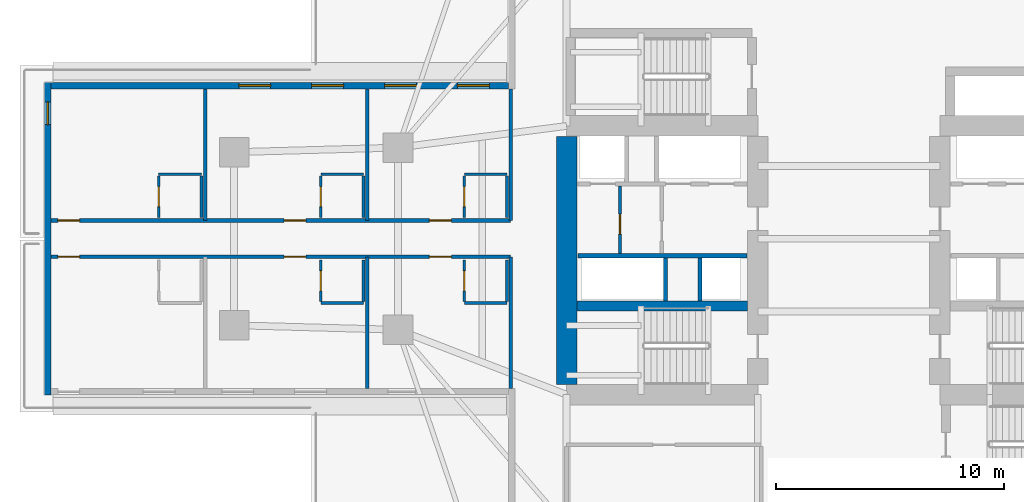
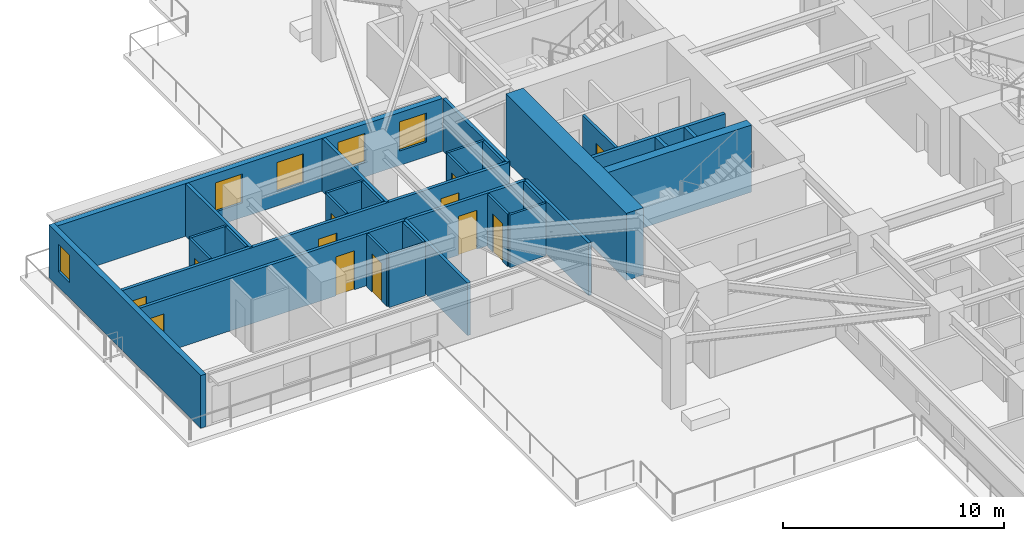
# One storey, part 5 of 15: 30 walls, 12 doors, 5 windows, 17 openings.
"""IFC4 building model written with IfcOpenShell, lengths in metres."""

from ifc_helpers import new_model, si_unit, direction, frame, frame_2d, origin, place, context, subcontext, project, spatial, rectangle, extrude, material, layer, layer_set, type_object, element, fill, save


model = new_model("IFC4")

# Units and contexts
model_context = context("Model", 3, precision=1e-05, world=origin(), true_north=direction((0.0, 1.0)))
body_context = subcontext(model_context, "Body", "Model", "MODEL_VIEW")
ifc_project = project(units=[si_unit("LENGTHUNIT", "METRE"), si_unit("AREAUNIT", "SQUARE_METRE"), si_unit("VOLUMEUNIT", "CUBIC_METRE"), si_unit("PLANEANGLEUNIT", "RADIAN"), si_unit("MASSUNIT", "GRAM", prefix="KILO")], contexts=[model_context])

# Site, building, storey
site_placement = place(None, origin())
site = spatial("IfcSite", under=ifc_project, at=site_placement, CompositionType="ELEMENT")
building_placement = place(site_placement, origin())
building = spatial("IfcBuilding", under=site, at=building_placement, Name="Qingluan Cross Belvedere", CompositionType="ELEMENT")
storey_placement = place(building_placement, frame((0.0, 0.0, 23.699951171875)))
storey = spatial("IfcBuildingStorey", under=building, at=storey_placement, Name="L06", CompositionType="ELEMENT", Elevation=23.699951171875)

# Walls
ifc_material_1 = material(Name="Concrete C50", Category="concrete")
ifc_layer_1 = layer(ifc_material_1, 0.449951171875, Name="CoreShearWall_450")
ifc_layer_set_1 = layer_set([ifc_layer_1], Name="Concrete C50")
wall_type_1 = type_object("IfcWallType", Name="CoreShearWall_450", PredefinedType="SHEAR", material=ifc_layer_set_1)
wall_1_placement = place(storey_placement, frame((-11.945068359375, -2.9599609375, 0.0), z_axis=(0.0, 0.0, 1.0), x_axis=(1.0, 0.0, 0.0)))
element("IfcWall", 1, at=wall_1_placement, inside=storey, type_object=wall_type_1, Name="Split core W shear wall L06-M", PredefinedType="SHEAR", context=body_context, shape_type="SweptSolid", body=[
    extrude(rectangle(XDim=7.489990234375, YDim=0.449951171875, at=frame_2d((3.7451171875, 0.0))), origin(), (0.0, 0.0, 1.0), 3.699951171875),
])
ifc_material_2 = material(Name="Concrete C70", Category="concrete")
ifc_layer_2 = layer(ifc_material_2, 0.89990234375, Name="CoreShearWall_900")
ifc_layer_set_2 = layer_set([ifc_layer_2], Name="Concrete C70")
wall_type_2 = type_object("IfcWallType", Name="CoreShearWall_900", PredefinedType="SHEAR", material=ifc_layer_set_2)
wall_2_placement = place(storey_placement, frame((-12.39990234375, -6.39501953125, 0.0), z_axis=(0.0, 0.0, 1.0), x_axis=(0.0, 1.0, 0.0)))
element("IfcWall", 2, at=wall_2_placement, inside=storey, type_object=wall_type_2, Name="Split core W shear wall L06-W", PredefinedType="SHEAR", context=body_context, shape_type="SweptSolid", body=[
    extrude(rectangle(XDim=10.89013671875, YDim=0.89990234375, at=frame_2d((5.445068359375, 0.0))), origin(), (0.0, 0.0, 1.0), 3.699951171875),
])

# Wall, opening, door
ifc_material_3 = material(Name="Gypsum plasterboard on steel stud acoustic partition", Category="steel")
ifc_layer_3 = layer(ifc_material_3, 0.159912109375, Name="CorridorPartition_160")
ifc_layer_set_3 = layer_set([ifc_layer_3], Name="Gypsum plasterboard on steel stud acoustic partition")
wall_type_3 = type_object("IfcWallType", Name="CorridorPartition_160", PredefinedType="PARTITIONING", material=ifc_layer_set_3)
wall_3_placement = place(storey_placement, frame((-10.050048828125, -0.652099609375, 0.0), z_axis=(0.0, 0.0, 1.0), x_axis=(0.0, 1.0, 0.0)))
wall_3 = element("IfcWall", 3, at=wall_3_placement, inside=storey, type_object=wall_type_3, Name="Partition L06:wv", PredefinedType="PARTITIONING", context=body_context, shape_type="SweptSolid", body=[
    extrude(rectangle(XDim=2.962158203125, YDim=0.139892578125, at=frame_2d((1.48095703125, 0.0))), origin(), (0.0, 0.0, 1.0), 2.900146484375),
])
opening_1_placement = place(wall_3_placement, frame((0.85009765625, 0.0, 0.0)))
opening_1 = element("IfcOpeningElement", 4, at=opening_1_placement, cuts=wall_3, Name="Opening FD-B10", PredefinedType="OPENING", context=body_context, shape_type="SweptSolid", body=[
    extrude(rectangle(XDim=0.8798828125, YDim=2.10009765625, at=frame_2d((0.43994140625, 1.050048828125))), frame((0.0, 0.079833984375, 0.0), z_axis=(0.0, -1.0, 0.0), x_axis=(1.0, 0.0, 0.0)), (0.0, 0.0, 1.0), 0.159912109375),
])
ifc_material_4 = material(Name="Steel Class B service fire door", Category="steel")
door_type_1 = type_object("IfcDoorType", Name="RiserServiceFireDoor_FDB", OperationType="NOTDEFINED", PredefinedType="DOOR", material=ifc_material_4)
door_1_placement = place(opening_1_placement, origin())
door_1 = element("IfcDoor", 5, at=door_1_placement, inside=storey, type_object=door_type_1, Name="Service closet inner door L06", OperationType="SINGLE_SWING_RIGHT", OverallHeight=2.10009765625, OverallWidth=0.8798828125, PredefinedType="DOOR", context=body_context, shape_type="SweptSolid", body=[
    extrude(rectangle(XDim=0.8798828125, YDim=2.10009765625, at=frame_2d((0.43994140625, 1.050048828125))), frame((0.0, 0.02490234375, 0.0), z_axis=(0.0, -1.0, 0.0), x_axis=(1.0, 0.0, 0.0)), (0.0, 0.0, 1.0), 0.050048828125),
])
fill(opening_1, door_1)

# Wall, openings, doors
wall_4_placement = place(storey_placement, frame((-14.85009765625, 0.800048828125, 0.0), z_axis=(0.0, 0.0, 1.0), x_axis=(-1.0, 0.0, 0.0)))
wall_4 = element("IfcWall", 6, at=wall_4_placement, inside=storey, type_object=wall_type_3, Name="Partition L06:W:c0", PredefinedType="PARTITIONING", context=body_context, shape_type="SweptSolid", body=[
    extrude(rectangle(XDim=20.181884765625, YDim=0.159912109375, at=frame_2d((10.0908203125, 0.0))), origin(), (0.0, 0.0, 1.0), 2.900146484375),
])
opening_2_placement = place(wall_4_placement, frame((2.610107421875, 0.0, 0.0)))
opening_2 = element("IfcOpeningElement", 7, at=opening_2_placement, cuts=wall_4, Name="Opening GD-10", PredefinedType="OPENING", context=body_context, shape_type="SweptSolid", body=[
    extrude(rectangle(XDim=0.9599609375, YDim=2.14990234375, at=frame_2d((0.47998046875, 1.074951171875))), frame((0.0, 0.08984375, 0.0), z_axis=(0.0, -1.0, 0.0), x_axis=(1.0, 0.0, 0.0)), (0.0, 0.0, 1.0), 0.179931640625),
])
opening_3_placement = place(wall_4_placement, frame((8.993896484375, 0.0, 0.0)))
opening_3 = element("IfcOpeningElement", 8, at=opening_3_placement, cuts=wall_4, Name="Opening GD-10", PredefinedType="OPENING", context=body_context, shape_type="SweptSolid", body=[
    extrude(rectangle(XDim=0.9599609375, YDim=2.14990234375, at=frame_2d((0.47998046875, 1.074951171875))), frame((0.0, 0.08984375, 0.0), z_axis=(0.0, -1.0, 0.0), x_axis=(1.0, 0.0, 0.0)), (0.0, 0.0, 1.0), 0.179931640625),
])
opening_4_placement = place(wall_4_placement, frame((18.929931640625, 0.0, 0.0)))
opening_4 = element("IfcOpeningElement", 9, at=opening_4_placement, cuts=wall_4, Name="Opening GD-10", PredefinedType="OPENING", context=body_context, shape_type="SweptSolid", body=[
    extrude(rectangle(XDim=0.9599609375, YDim=2.14990234375, at=frame_2d((0.47998046875, 1.074951171875))), frame((0.0, 0.08984375, 0.0), z_axis=(0.0, -1.0, 0.0), x_axis=(1.0, 0.0, 0.0)), (0.0, 0.0, 1.0), 0.179931640625),
])
ifc_material_5 = material(Name="Timber oak fire-rated acoustic guestroom door", Category="wood")
door_type_2 = type_object("IfcDoorType", Name="GuestEntryDoor_FD60", OperationType="NOTDEFINED", PredefinedType="DOOR", material=ifc_material_5)
door_2_placement = place(opening_2_placement, origin())
door_2 = element("IfcDoor", 10, at=door_2_placement, inside=storey, type_object=door_type_2, Name="Guest entry fire door 0607", OperationType="SINGLE_SWING_LEFT", OverallHeight=2.14990234375, OverallWidth=0.9599609375, PredefinedType="DOOR", context=body_context, shape_type="SweptSolid", body=[
    extrude(rectangle(XDim=0.9599609375, YDim=2.14990234375, at=frame_2d((0.47998046875, 1.074951171875))), frame((0.0, 0.02490234375, 0.0), z_axis=(0.0, -1.0, 0.0), x_axis=(1.0, 0.0, 0.0)), (0.0, 0.0, 1.0), 0.050048828125),
])
fill(opening_2, door_2)
door_3_placement = place(opening_3_placement, origin())
door_3 = element("IfcDoor", 11, at=door_3_placement, inside=storey, type_object=door_type_2, Name="Guest entry fire door 0608", OperationType="SINGLE_SWING_LEFT", OverallHeight=2.14990234375, OverallWidth=0.9599609375, PredefinedType="DOOR", context=body_context, shape_type="SweptSolid", body=[
    extrude(rectangle(XDim=0.9599609375, YDim=2.14990234375, at=frame_2d((0.47998046875, 1.074951171875))), frame((0.0, 0.02490234375, 0.0), z_axis=(0.0, -1.0, 0.0), x_axis=(1.0, 0.0, 0.0)), (0.0, 0.0, 1.0), 0.050048828125),
])
fill(opening_3, door_3)
door_4_placement = place(opening_4_placement, origin())
door_4 = element("IfcDoor", 12, at=door_4_placement, inside=storey, type_object=door_type_2, Name="Guest entry fire door 0609", OperationType="SINGLE_SWING_LEFT", OverallHeight=2.14990234375, OverallWidth=0.9599609375, PredefinedType="DOOR", context=body_context, shape_type="SweptSolid", body=[
    extrude(rectangle(XDim=0.9599609375, YDim=2.14990234375, at=frame_2d((0.47998046875, 1.074951171875))), frame((0.0, 0.02490234375, 0.0), z_axis=(0.0, -1.0, 0.0), x_axis=(1.0, 0.0, 0.0)), (0.0, 0.0, 1.0), 0.050048828125),
])
fill(opening_4, door_4)

# Walls
for number, where, z_axis, x_axis, name in (
    (13, (-14.85009765625, 0.800048828125, 0.0), (0.0, 0.0, 1.0), (0.0, 1.0, 0.0), "Partition L06:W:s0"),
    (14, (-21.152099609375, 0.800048828125, 0.0), (0.0, 0.0, 1.0), (0.0, 1.0, 0.0), "Partition L06:W:d0_0"),
    (15, (-28.26806640625, 0.800048828125, 0.0), (0.0, 0.0, 1.0), (0.0, 1.0, 0.0), "Partition L06:W:d0_1"),
):
    element("IfcWall", number, at=place(storey_placement, frame(where, z_axis=z_axis, x_axis=x_axis)), inside=storey, type_object=wall_type_3, Name=name, PredefinedType="PARTITIONING", context=body_context, shape_type="SweptSolid", body=[
        extrude(rectangle(XDim=5.77197265625, YDim=0.159912109375, at=frame_2d((2.885986328125, 0.0))), origin(), (0.0, 0.0, 1.0), 2.900146484375),
    ])

# Wall, openings, doors
wall_5_placement = place(storey_placement, frame((-14.85009765625, -0.800048828125, 0.0), z_axis=(0.0, 0.0, 1.0), x_axis=(-1.0, 0.0, 0.0)))
wall_5 = element("IfcWall", 16, at=wall_5_placement, inside=storey, type_object=wall_type_3, Name="Partition L06:W:c1", PredefinedType="PARTITIONING", context=body_context, shape_type="SweptSolid", body=[
    extrude(rectangle(XDim=20.181884765625, YDim=0.159912109375, at=frame_2d((10.0908203125, 0.0))), origin(), (0.0, 0.0, 1.0), 2.900146484375),
])
opening_5_placement = place(wall_5_placement, frame((2.610107421875, 0.0, 0.0)))
opening_5 = element("IfcOpeningElement", 17, at=opening_5_placement, cuts=wall_5, Name="Opening GD-10", PredefinedType="OPENING", context=body_context, shape_type="SweptSolid", body=[
    extrude(rectangle(XDim=0.9599609375, YDim=2.14990234375, at=frame_2d((0.47998046875, 1.074951171875))), frame((0.0, 0.08984375, 0.0), z_axis=(0.0, -1.0, 0.0), x_axis=(1.0, 0.0, 0.0)), (0.0, 0.0, 1.0), 0.179931640625),
])
opening_6_placement = place(wall_5_placement, frame((8.993896484375, 0.0, 0.0)))
opening_6 = element("IfcOpeningElement", 18, at=opening_6_placement, cuts=wall_5, Name="Opening GD-10", PredefinedType="OPENING", context=body_context, shape_type="SweptSolid", body=[
    extrude(rectangle(XDim=0.9599609375, YDim=2.14990234375, at=frame_2d((0.47998046875, 1.074951171875))), frame((0.0, 0.08984375, 0.0), z_axis=(0.0, -1.0, 0.0), x_axis=(1.0, 0.0, 0.0)), (0.0, 0.0, 1.0), 0.179931640625),
])
opening_7_placement = place(wall_5_placement, frame((18.929931640625, 0.0, 0.0)))
opening_7 = element("IfcOpeningElement", 19, at=opening_7_placement, cuts=wall_5, Name="Opening GD-10", PredefinedType="OPENING", context=body_context, shape_type="SweptSolid", body=[
    extrude(rectangle(XDim=0.9599609375, YDim=2.14990234375, at=frame_2d((0.47998046875, 1.074951171875))), frame((0.0, 0.08984375, 0.0), z_axis=(0.0, -1.0, 0.0), x_axis=(1.0, 0.0, 0.0)), (0.0, 0.0, 1.0), 0.179931640625),
])
door_5_placement = place(opening_5_placement, origin())
door_5 = element("IfcDoor", 20, at=door_5_placement, inside=storey, type_object=door_type_2, Name="Guest entry fire door 0610", OperationType="SINGLE_SWING_LEFT", OverallHeight=2.14990234375, OverallWidth=0.9599609375, PredefinedType="DOOR", context=body_context, shape_type="SweptSolid", body=[
    extrude(rectangle(XDim=0.9599609375, YDim=2.14990234375, at=frame_2d((0.47998046875, 1.074951171875))), frame((0.0, 0.02490234375, 0.0), z_axis=(0.0, -1.0, 0.0), x_axis=(1.0, 0.0, 0.0)), (0.0, 0.0, 1.0), 0.050048828125),
])
fill(opening_5, door_5)
door_6_placement = place(opening_6_placement, origin())
door_6 = element("IfcDoor", 21, at=door_6_placement, inside=storey, type_object=door_type_2, Name="Guest entry fire door 0611", OperationType="SINGLE_SWING_LEFT", OverallHeight=2.14990234375, OverallWidth=0.9599609375, PredefinedType="DOOR", context=body_context, shape_type="SweptSolid", body=[
    extrude(rectangle(XDim=0.9599609375, YDim=2.14990234375, at=frame_2d((0.47998046875, 1.074951171875))), frame((0.0, 0.02490234375, 0.0), z_axis=(0.0, -1.0, 0.0), x_axis=(1.0, 0.0, 0.0)), (0.0, 0.0, 1.0), 0.050048828125),
])
fill(opening_6, door_6)
door_7_placement = place(opening_7_placement, origin())
door_7 = element("IfcDoor", 22, at=door_7_placement, inside=storey, type_object=door_type_2, Name="Guest entry fire door 0612", OperationType="SINGLE_SWING_LEFT", OverallHeight=2.14990234375, OverallWidth=0.9599609375, PredefinedType="DOOR", context=body_context, shape_type="SweptSolid", body=[
    extrude(rectangle(XDim=0.9599609375, YDim=2.14990234375, at=frame_2d((0.47998046875, 1.074951171875))), frame((0.0, 0.02490234375, 0.0), z_axis=(0.0, -1.0, 0.0), x_axis=(1.0, 0.0, 0.0)), (0.0, 0.0, 1.0), 0.050048828125),
])
fill(opening_7, door_7)

# Walls
for number, where, z_axis, x_axis, name in (
    (23, (-14.85009765625, -0.800048828125, 0.0), (0.0, 0.0, 1.0), (0.0, -1.0, 0.0), "Partition L06:W:s1"),
    (24, (-21.152099609375, -0.800048828125, 0.0), (0.0, 0.0, 1.0), (0.0, -1.0, 0.0), "Partition L06:W:d1_0"),
):
    element("IfcWall", number, at=place(storey_placement, frame(where, z_axis=z_axis, x_axis=x_axis)), inside=storey, type_object=wall_type_3, Name=name, PredefinedType="PARTITIONING", context=body_context, shape_type="SweptSolid", body=[
        extrude(rectangle(XDim=5.77197265625, YDim=0.159912109375, at=frame_2d((2.885986328125, 0.0))), origin(), (0.0, 0.0, 1.0), 2.900146484375),
    ])

# Wall, opening, door
ifc_material_6 = material(Name="Moisture-resistant gypsum board lining")
ifc_layer_4 = layer(ifc_material_6, 0.1201171875, Name="EnsuiteWetPartition_120")
ifc_layer_set_4 = layer_set([ifc_layer_4], Name="Moisture-resistant gypsum board lining")
wall_type_4 = type_object("IfcWallType", Name="EnsuiteWetPartition_120", PredefinedType="PARTITIONING", material=ifc_layer_set_4)
wall_6_placement = place(storey_placement, frame((-16.889892578125, 0.93994140625, 0.0), z_axis=(0.0, 0.0, 1.0), x_axis=(0.0, 1.0, 0.0)))
wall_6 = element("IfcWall", 25, at=wall_6_placement, inside=storey, type_object=wall_type_4, Name="Partition L06:W:bs0_0", PredefinedType="PARTITIONING", context=body_context, shape_type="SweptSolid", body=[
    extrude(rectangle(XDim=1.820068359375, YDim=0.1201171875, at=frame_2d((0.91015625, 0.0))), origin(), (0.0, 0.0, 1.0), 2.900146484375),
])
opening_8_placement = place(wall_6_placement, frame((0.469970703125, 0.0, 0.0)))
opening_8 = element("IfcOpeningElement", 26, at=opening_8_placement, cuts=wall_6, Name="Opening BD-09", PredefinedType="OPENING", context=body_context, shape_type="SweptSolid", body=[
    extrude(rectangle(XDim=0.8798828125, YDim=2.10009765625, at=frame_2d((0.43994140625, 1.050048828125))), frame((0.0, 0.070068359375, 0.0), z_axis=(0.0, -1.0, 0.0), x_axis=(1.0, 0.0, 0.0)), (0.0, 0.0, 1.0), 0.14013671875),
])
ifc_material_7 = material(Name="Moisture-sealed timber en-suite door", Category="wood")
door_type_3 = type_object("IfcDoorType", Name="BathroomDoor_880", OperationType="NOTDEFINED", PredefinedType="DOOR", material=ifc_material_7)
door_8_placement = place(opening_8_placement, origin())
door_8 = element("IfcDoor", 27, at=door_8_placement, inside=storey, type_object=door_type_3, Name="Bathroom door 0607", OperationType="SINGLE_SWING_RIGHT", OverallHeight=2.10009765625, OverallWidth=0.8798828125, PredefinedType="DOOR", context=body_context, shape_type="SweptSolid", body=[
    extrude(rectangle(XDim=0.8798828125, YDim=2.10009765625, at=frame_2d((0.43994140625, 1.050048828125))), frame((0.0, 0.02490234375, 0.0), z_axis=(0.0, -1.0, 0.0), x_axis=(1.0, 0.0, 0.0)), (0.0, 0.0, 1.0), 0.050048828125),
])
fill(opening_8, door_8)

# Walls
wall_7_placement = place(storey_placement, frame((-15.010009765625, 0.93994140625, 0.0), z_axis=(0.0, 0.0, 1.0), x_axis=(0.0, 1.0, 0.0)))
element("IfcWall", 28, at=wall_7_placement, inside=storey, type_object=wall_type_4, Name="Partition L06:W:bw0_0", PredefinedType="PARTITIONING", context=body_context, shape_type="SweptSolid", body=[
    extrude(rectangle(XDim=1.820068359375, YDim=0.1201171875, at=frame_2d((0.91015625, 0.0))), origin(), (0.0, 0.0, 1.0), 2.900146484375),
])
wall_8_placement = place(storey_placement, frame((-15.010009765625, 2.824951171875, 0.0), z_axis=(0.0, 0.0, 1.0), x_axis=(-1.0, 0.0, 0.0)))
element("IfcWall", 29, at=wall_8_placement, inside=storey, type_object=wall_type_4, Name="Partition L06:W:bn0_0", PredefinedType="PARTITIONING", context=body_context, shape_type="SweptSolid", body=[
    extrude(rectangle(XDim=1.8798828125, YDim=0.1201171875, at=frame_2d((0.93994140625, 0.0))), origin(), (0.0, 0.0, 1.0), 2.900146484375),
])

# Wall, opening, door
wall_9_placement = place(storey_placement, frame((-23.19189453125, 0.93994140625, 0.0), z_axis=(0.0, 0.0, 1.0), x_axis=(0.0, 1.0, 0.0)))
wall_9 = element("IfcWall", 30, at=wall_9_placement, inside=storey, type_object=wall_type_4, Name="Partition L06:W:bs0_1", PredefinedType="PARTITIONING", context=body_context, shape_type="SweptSolid", body=[
    extrude(rectangle(XDim=1.820068359375, YDim=0.1201171875, at=frame_2d((0.91015625, 0.0))), origin(), (0.0, 0.0, 1.0), 2.900146484375),
])
opening_9_placement = place(wall_9_placement, frame((0.469970703125, 0.0, 0.0)))
opening_9 = element("IfcOpeningElement", 31, at=opening_9_placement, cuts=wall_9, Name="Opening BD-09", PredefinedType="OPENING", context=body_context, shape_type="SweptSolid", body=[
    extrude(rectangle(XDim=0.8798828125, YDim=2.10009765625, at=frame_2d((0.43994140625, 1.050048828125))), frame((0.0, 0.070068359375, 0.0), z_axis=(0.0, -1.0, 0.0), x_axis=(1.0, 0.0, 0.0)), (0.0, 0.0, 1.0), 0.14013671875),
])
door_9_placement = place(opening_9_placement, origin())
door_9 = element("IfcDoor", 32, at=door_9_placement, inside=storey, type_object=door_type_3, Name="Bathroom door 0608", OperationType="SINGLE_SWING_RIGHT", OverallHeight=2.10009765625, OverallWidth=0.8798828125, PredefinedType="DOOR", context=body_context, shape_type="SweptSolid", body=[
    extrude(rectangle(XDim=0.8798828125, YDim=2.10009765625, at=frame_2d((0.43994140625, 1.050048828125))), frame((0.0, 0.02490234375, 0.0), z_axis=(0.0, -1.0, 0.0), x_axis=(1.0, 0.0, 0.0)), (0.0, 0.0, 1.0), 0.050048828125),
])
fill(opening_9, door_9)

# Walls
wall_10_placement = place(storey_placement, frame((-21.31201171875, 0.93994140625, 0.0), z_axis=(0.0, 0.0, 1.0), x_axis=(0.0, 1.0, 0.0)))
element("IfcWall", 33, at=wall_10_placement, inside=storey, type_object=wall_type_4, Name="Partition L06:W:bw0_1", PredefinedType="PARTITIONING", context=body_context, shape_type="SweptSolid", body=[
    extrude(rectangle(XDim=1.820068359375, YDim=0.1201171875, at=frame_2d((0.91015625, 0.0))), origin(), (0.0, 0.0, 1.0), 2.900146484375),
])
wall_11_placement = place(storey_placement, frame((-21.31201171875, 2.824951171875, 0.0), z_axis=(0.0, 0.0, 1.0), x_axis=(-1.0, 0.0, 0.0)))
element("IfcWall", 34, at=wall_11_placement, inside=storey, type_object=wall_type_4, Name="Partition L06:W:bn0_1", PredefinedType="PARTITIONING", context=body_context, shape_type="SweptSolid", body=[
    extrude(rectangle(XDim=1.8798828125, YDim=0.1201171875, at=frame_2d((0.93994140625, 0.0))), origin(), (0.0, 0.0, 1.0), 2.900146484375),
])

# Wall, opening, door
wall_12_placement = place(storey_placement, frame((-30.30810546875, 0.93994140625, 0.0), z_axis=(0.0, 0.0, 1.0), x_axis=(0.0, 1.0, 0.0)))
wall_12 = element("IfcWall", 35, at=wall_12_placement, inside=storey, type_object=wall_type_4, Name="Partition L06:W:bs0_2", PredefinedType="PARTITIONING", context=body_context, shape_type="SweptSolid", body=[
    extrude(rectangle(XDim=1.820068359375, YDim=0.1201171875, at=frame_2d((0.91015625, 0.0))), origin(), (0.0, 0.0, 1.0), 2.900146484375),
])
opening_10_placement = place(wall_12_placement, frame((0.469970703125, 0.0, 0.0)))
opening_10 = element("IfcOpeningElement", 36, at=opening_10_placement, cuts=wall_12, Name="Opening BD-09", PredefinedType="OPENING", context=body_context, shape_type="SweptSolid", body=[
    extrude(rectangle(XDim=0.8798828125, YDim=2.10009765625, at=frame_2d((0.43994140625, 1.050048828125))), frame((0.0, 0.070068359375, 0.0), z_axis=(0.0, -1.0, 0.0), x_axis=(1.0, 0.0, 0.0)), (0.0, 0.0, 1.0), 0.14013671875),
])
door_10_placement = place(opening_10_placement, origin())
door_10 = element("IfcDoor", 37, at=door_10_placement, inside=storey, type_object=door_type_3, Name="Bathroom door 0609", OperationType="SINGLE_SWING_RIGHT", OverallHeight=2.10009765625, OverallWidth=0.8798828125, PredefinedType="DOOR", context=body_context, shape_type="SweptSolid", body=[
    extrude(rectangle(XDim=0.8798828125, YDim=2.10009765625, at=frame_2d((0.43994140625, 1.050048828125))), frame((0.0, 0.02490234375, 0.0), z_axis=(0.0, -1.0, 0.0), x_axis=(1.0, 0.0, 0.0)), (0.0, 0.0, 1.0), 0.050048828125),
])
fill(opening_10, door_10)

# Walls
wall_13_placement = place(storey_placement, frame((-28.427978515625, 0.93994140625, 0.0), z_axis=(0.0, 0.0, 1.0), x_axis=(0.0, 1.0, 0.0)))
element("IfcWall", 38, at=wall_13_placement, inside=storey, type_object=wall_type_4, Name="Partition L06:W:bw0_2", PredefinedType="PARTITIONING", context=body_context, shape_type="SweptSolid", body=[
    extrude(rectangle(XDim=1.820068359375, YDim=0.1201171875, at=frame_2d((0.91015625, 0.0))), origin(), (0.0, 0.0, 1.0), 2.900146484375),
])
wall_14_placement = place(storey_placement, frame((-28.427978515625, 2.824951171875, 0.0), z_axis=(0.0, 0.0, 1.0), x_axis=(-1.0, 0.0, 0.0)))
element("IfcWall", 39, at=wall_14_placement, inside=storey, type_object=wall_type_4, Name="Partition L06:W:bn0_2", PredefinedType="PARTITIONING", context=body_context, shape_type="SweptSolid", body=[
    extrude(rectangle(XDim=1.880126953125, YDim=0.1201171875, at=frame_2d((0.93994140625, 0.0))), origin(), (0.0, 0.0, 1.0), 2.900146484375),
])

# Wall, opening, door
wall_15_placement = place(storey_placement, frame((-16.889892578125, -2.760009765625, 0.0), z_axis=(0.0, 0.0, 1.0), x_axis=(0.0, 1.0, 0.0)))
wall_15 = element("IfcWall", 40, at=wall_15_placement, inside=storey, type_object=wall_type_4, Name="Partition L06:W:bs1_0", PredefinedType="PARTITIONING", context=body_context, shape_type="SweptSolid", body=[
    extrude(rectangle(XDim=1.820068359375, YDim=0.1201171875, at=frame_2d((0.91015625, 0.0))), origin(), (0.0, 0.0, 1.0), 2.900146484375),
])
opening_11_placement = place(wall_15_placement, frame((0.469970703125, 0.0, 0.0)))
opening_11 = element("IfcOpeningElement", 41, at=opening_11_placement, cuts=wall_15, Name="Opening BD-09", PredefinedType="OPENING", context=body_context, shape_type="SweptSolid", body=[
    extrude(rectangle(XDim=0.8798828125, YDim=2.10009765625, at=frame_2d((0.43994140625, 1.050048828125))), frame((0.0, 0.070068359375, 0.0), z_axis=(0.0, -1.0, 0.0), x_axis=(1.0, 0.0, 0.0)), (0.0, 0.0, 1.0), 0.14013671875),
])
door_11_placement = place(opening_11_placement, origin())
door_11 = element("IfcDoor", 42, at=door_11_placement, inside=storey, type_object=door_type_3, Name="Bathroom door 0610", OperationType="SINGLE_SWING_RIGHT", OverallHeight=2.10009765625, OverallWidth=0.8798828125, PredefinedType="DOOR", context=body_context, shape_type="SweptSolid", body=[
    extrude(rectangle(XDim=0.8798828125, YDim=2.10009765625, at=frame_2d((0.43994140625, 1.050048828125))), frame((0.0, 0.02490234375, 0.0), z_axis=(0.0, -1.0, 0.0), x_axis=(1.0, 0.0, 0.0)), (0.0, 0.0, 1.0), 0.050048828125),
])
fill(opening_11, door_11)

# Walls
wall_16_placement = place(storey_placement, frame((-15.010009765625, -2.760009765625, 0.0), z_axis=(0.0, 0.0, 1.0), x_axis=(0.0, 1.0, 0.0)))
element("IfcWall", 43, at=wall_16_placement, inside=storey, type_object=wall_type_4, Name="Partition L06:W:bw1_0", PredefinedType="PARTITIONING", context=body_context, shape_type="SweptSolid", body=[
    extrude(rectangle(XDim=1.820068359375, YDim=0.1201171875, at=frame_2d((0.91015625, 0.0))), origin(), (0.0, 0.0, 1.0), 2.900146484375),
])
wall_17_placement = place(storey_placement, frame((-15.010009765625, -2.824951171875, 0.0), z_axis=(0.0, 0.0, 1.0), x_axis=(-1.0, 0.0, 0.0)))
element("IfcWall", 44, at=wall_17_placement, inside=storey, type_object=wall_type_4, Name="Partition L06:W:bc1_0", PredefinedType="PARTITIONING", context=body_context, shape_type="SweptSolid", body=[
    extrude(rectangle(XDim=1.8798828125, YDim=0.1201171875, at=frame_2d((0.93994140625, 0.0))), origin(), (0.0, 0.0, 1.0), 2.900146484375),
])

# Wall, opening, door
wall_18_placement = place(storey_placement, frame((-23.19189453125, -2.760009765625, 0.0), z_axis=(0.0, 0.0, 1.0), x_axis=(0.0, 1.0, 0.0)))
wall_18 = element("IfcWall", 45, at=wall_18_placement, inside=storey, type_object=wall_type_4, Name="Partition L06:W:bs1_1", PredefinedType="PARTITIONING", context=body_context, shape_type="SweptSolid", body=[
    extrude(rectangle(XDim=1.820068359375, YDim=0.1201171875, at=frame_2d((0.91015625, 0.0))), origin(), (0.0, 0.0, 1.0), 2.900146484375),
])
opening_12_placement = place(wall_18_placement, frame((0.469970703125, 0.0, 0.0)))
opening_12 = element("IfcOpeningElement", 46, at=opening_12_placement, cuts=wall_18, Name="Opening BD-09", PredefinedType="OPENING", context=body_context, shape_type="SweptSolid", body=[
    extrude(rectangle(XDim=0.8798828125, YDim=2.10009765625, at=frame_2d((0.43994140625, 1.050048828125))), frame((0.0, 0.070068359375, 0.0), z_axis=(0.0, -1.0, 0.0), x_axis=(1.0, 0.0, 0.0)), (0.0, 0.0, 1.0), 0.14013671875),
])
door_12_placement = place(opening_12_placement, origin())
door_12 = element("IfcDoor", 47, at=door_12_placement, inside=storey, type_object=door_type_3, Name="Bathroom door 0611", OperationType="SINGLE_SWING_RIGHT", OverallHeight=2.10009765625, OverallWidth=0.8798828125, PredefinedType="DOOR", context=body_context, shape_type="SweptSolid", body=[
    extrude(rectangle(XDim=0.8798828125, YDim=2.10009765625, at=frame_2d((0.43994140625, 1.050048828125))), frame((0.0, 0.02490234375, 0.0), z_axis=(0.0, -1.0, 0.0), x_axis=(1.0, 0.0, 0.0)), (0.0, 0.0, 1.0), 0.050048828125),
])
fill(opening_12, door_12)

# Walls
wall_19_placement = place(storey_placement, frame((-21.31201171875, -2.760009765625, 0.0), z_axis=(0.0, 0.0, 1.0), x_axis=(0.0, 1.0, 0.0)))
element("IfcWall", 48, at=wall_19_placement, inside=storey, type_object=wall_type_4, Name="Partition L06:W:bw1_1", PredefinedType="PARTITIONING", context=body_context, shape_type="SweptSolid", body=[
    extrude(rectangle(XDim=1.820068359375, YDim=0.1201171875, at=frame_2d((0.91015625, 0.0))), origin(), (0.0, 0.0, 1.0), 2.900146484375),
])
wall_20_placement = place(storey_placement, frame((-21.31201171875, -2.824951171875, 0.0), z_axis=(0.0, 0.0, 1.0), x_axis=(-1.0, 0.0, 0.0)))
element("IfcWall", 49, at=wall_20_placement, inside=storey, type_object=wall_type_4, Name="Partition L06:W:bc1_1", PredefinedType="PARTITIONING", context=body_context, shape_type="SweptSolid", body=[
    extrude(rectangle(XDim=1.8798828125, YDim=0.1201171875, at=frame_2d((0.93994140625, 0.0))), origin(), (0.0, 0.0, 1.0), 2.900146484375),
])

# Wall, openings, windows
ifc_material_8 = material(Name="Precast concrete C45", Category="concrete")
ifc_layer_5 = layer(ifc_material_8, 0.280029296875, Name="PrecastFacadeWall_280")
ifc_layer_set_5 = layer_set([ifc_layer_5], Name="Precast concrete C45")
wall_type_5 = type_object("IfcWallType", Name="PrecastFacadeWall_280", PredefinedType="STANDARD", material=ifc_layer_set_5)
wall_21_placement = place(storey_placement, frame((-14.93994140625, 6.719970703125, 0.0), z_axis=(0.0, 0.0, 1.0), x_axis=(-1.0, 0.0, 0.0)))
wall_21 = element("IfcWall", 50, at=wall_21_placement, inside=storey, type_object=wall_type_5, Name="Facade wall L06-WA", PredefinedType="STANDARD", context=body_context, shape_type="SweptSolid", body=[
    extrude(rectangle(XDim=20.10009765625, YDim=0.280029296875, at=frame_2d((10.050048828125, 0.0))), origin(), (0.0, 0.0, 1.0), 2.91015625),
])
opening_13_placement = place(wall_21_placement, frame((0.85009765625, 0.0, 0.800048828125)))
opening_13 = element("IfcOpeningElement", 51, at=opening_13_placement, cuts=wall_21, Name="Opening W-01", PredefinedType="OPENING", context=body_context, shape_type="SweptSolid", body=[
    extrude(rectangle(XDim=1.39990234375, YDim=1.60009765625, at=frame_2d((0.699951171875, 0.800048828125))), frame((0.0, 0.14990234375, 0.0), z_axis=(0.0, -1.0, 0.0), x_axis=(1.0, 0.0, 0.0)), (0.0, 0.0, 1.0), 0.300048828125),
])
opening_14_placement = place(wall_21_placement, frame((4.050048828125, 0.0, 0.800048828125)))
opening_14 = element("IfcOpeningElement", 52, at=opening_14_placement, cuts=wall_21, Name="Opening W-01", PredefinedType="OPENING", context=body_context, shape_type="SweptSolid", body=[
    extrude(rectangle(XDim=1.39990234375, YDim=1.60009765625, at=frame_2d((0.699951171875, 0.800048828125))), frame((0.0, 0.14990234375, 0.0), z_axis=(0.0, -1.0, 0.0), x_axis=(1.0, 0.0, 0.0)), (0.0, 0.0, 1.0), 0.300048828125),
])
opening_15_placement = place(wall_21_placement, frame((7.25, 0.0, 0.800048828125)))
opening_15 = element("IfcOpeningElement", 53, at=opening_15_placement, cuts=wall_21, Name="Opening W-01", PredefinedType="OPENING", context=body_context, shape_type="SweptSolid", body=[
    extrude(rectangle(XDim=1.39990234375, YDim=1.60009765625, at=frame_2d((0.699951171875, 0.800048828125))), frame((0.0, 0.14990234375, 0.0), z_axis=(0.0, -1.0, 0.0), x_axis=(1.0, 0.0, 0.0)), (0.0, 0.0, 1.0), 0.300048828125),
])
opening_16_placement = place(wall_21_placement, frame((10.449951171875, 0.0, 0.800048828125)))
opening_16 = element("IfcOpeningElement", 54, at=opening_16_placement, cuts=wall_21, Name="Opening W-01", PredefinedType="OPENING", context=body_context, shape_type="SweptSolid", body=[
    extrude(rectangle(XDim=1.39990234375, YDim=1.60009765625, at=frame_2d((0.699951171875, 0.800048828125))), frame((0.0, 0.14990234375, 0.0), z_axis=(0.0, -1.0, 0.0), x_axis=(1.0, 0.0, 0.0)), (0.0, 0.0, 1.0), 0.300048828125),
])
ifc_material_9 = material(Name="Thermally broken triple Low-E glass in aluminium frame", Category="aluminium")
window_type_1 = type_object("IfcWindowType", Name="TriRibbonWin_1400x1600", PartitioningType="SINGLE_PANEL", PredefinedType="WINDOW", material=ifc_material_9)
window_1_placement = place(opening_13_placement, origin())
window_1 = element("IfcWindow", 55, at=window_1_placement, inside=storey, type_object=window_type_1, Name="Ribbon window L06-WA-1", OverallHeight=1.60009765625, OverallWidth=1.39990234375, PartitioningType="SINGLE_PANEL", PredefinedType="WINDOW", context=body_context, shape_type="SweptSolid", body=[
    extrude(rectangle(XDim=1.39990234375, YDim=1.60009765625, at=frame_2d((0.699951171875, 0.800048828125))), frame((0.0, 0.030029296875, 0.0), z_axis=(0.0, -1.0, 0.0), x_axis=(1.0, 0.0, 0.0)), (0.0, 0.0, 1.0), 0.06005859375),
])
fill(opening_13, window_1)
window_2_placement = place(opening_14_placement, origin())
window_2 = element("IfcWindow", 56, at=window_2_placement, inside=storey, type_object=window_type_1, Name="Ribbon window L06-WA-2", OverallHeight=1.60009765625, OverallWidth=1.39990234375, PartitioningType="SINGLE_PANEL", PredefinedType="WINDOW", context=body_context, shape_type="SweptSolid", body=[
    extrude(rectangle(XDim=1.39990234375, YDim=1.60009765625, at=frame_2d((0.699951171875, 0.800048828125))), frame((0.0, 0.030029296875, 0.0), z_axis=(0.0, -1.0, 0.0), x_axis=(1.0, 0.0, 0.0)), (0.0, 0.0, 1.0), 0.06005859375),
])
fill(opening_14, window_2)
window_3_placement = place(opening_15_placement, origin())
window_3 = element("IfcWindow", 57, at=window_3_placement, inside=storey, type_object=window_type_1, Name="Ribbon window L06-WA-3", OverallHeight=1.60009765625, OverallWidth=1.39990234375, PartitioningType="SINGLE_PANEL", PredefinedType="WINDOW", context=body_context, shape_type="SweptSolid", body=[
    extrude(rectangle(XDim=1.39990234375, YDim=1.60009765625, at=frame_2d((0.699951171875, 0.800048828125))), frame((0.0, 0.030029296875, 0.0), z_axis=(0.0, -1.0, 0.0), x_axis=(1.0, 0.0, 0.0)), (0.0, 0.0, 1.0), 0.06005859375),
])
fill(opening_15, window_3)
window_4_placement = place(opening_16_placement, origin())
window_4 = element("IfcWindow", 58, at=window_4_placement, inside=storey, type_object=window_type_1, Name="Ribbon window L06-WA-4", OverallHeight=1.60009765625, OverallWidth=1.39990234375, PartitioningType="SINGLE_PANEL", PredefinedType="WINDOW", context=body_context, shape_type="SweptSolid", body=[
    extrude(rectangle(XDim=1.39990234375, YDim=1.60009765625, at=frame_2d((0.699951171875, 0.800048828125))), frame((0.0, 0.030029296875, 0.0), z_axis=(0.0, -1.0, 0.0), x_axis=(1.0, 0.0, 0.0)), (0.0, 0.0, 1.0), 0.06005859375),
])
fill(opening_16, window_4)

# Wall, opening, window
wall_22_placement = place(storey_placement, frame((-35.179931640625, 6.860107421875, 0.0), z_axis=(0.0, 0.0, 1.0), x_axis=(0.0, -1.0, 0.0)))
wall_22 = element("IfcWall", 59, at=wall_22_placement, inside=storey, type_object=wall_type_5, Name="Arm tip precast facade wall L06-W", PredefinedType="STANDARD", context=body_context, shape_type="SweptSolid", body=[
    extrude(rectangle(XDim=13.72021484375, YDim=0.280029296875, at=frame_2d((6.860107421875, 0.0))), origin(), (0.0, 0.0, 1.0), 2.91015625),
])
opening_17_placement = place(wall_22_placement, frame((0.85009765625, 0.0, 0.85009765625)))
opening_17 = element("IfcOpeningElement", 60, at=opening_17_placement, cuts=wall_22, Name="Opening W-03", PredefinedType="OPENING", context=body_context, shape_type="SweptSolid", body=[
    extrude(rectangle(XDim=1.0, YDim=1.5, at=frame_2d((0.5, 0.75))), frame((0.0, 0.14990234375, 0.0), z_axis=(0.0, -1.0, 0.0), x_axis=(1.0, 0.0, 0.0)), (0.0, 0.0, 1.0), 0.300048828125),
])
ifc_material_10 = material(Name="Thermally broken triple Low-E glass in aluminium frame", Category="aluminium")
window_type_2 = type_object("IfcWindowType", Name="TriApexWin_1000x1500", PartitioningType="SINGLE_PANEL", PredefinedType="WINDOW", material=ifc_material_10)
window_5_placement = place(opening_17_placement, origin())
window_5 = element("IfcWindow", 61, at=window_5_placement, inside=storey, type_object=window_type_2, Name="Arm tip triangular window L06-W", OverallHeight=1.5, OverallWidth=1.0, PartitioningType="SINGLE_PANEL", PredefinedType="WINDOW", context=body_context, shape_type="SweptSolid", body=[
    extrude(rectangle(XDim=1.0, YDim=1.5, at=frame_2d((0.5, 0.75))), frame((0.0, 0.030029296875, 0.0), z_axis=(0.0, -1.0, 0.0), x_axis=(1.0, 0.0, 0.0)), (0.0, 0.0, 1.0), 0.06005859375),
])
fill(opening_17, window_5)

# Walls
ifc_material_11 = material(Name="Concrete C40", Category="concrete")
ifc_layer_6 = layer(ifc_material_11, 0.219970703125, Name="ShaftEnclosureWall_250")
ifc_layer_set_6 = layer_set([ifc_layer_6], Name="Concrete C40")
wall_type_6 = type_object("IfcWallType", Name="ShaftEnclosureWall_250", PredefinedType="SOLIDWALL", material=ifc_layer_set_6)
wall_23_placement = place(storey_placement, frame((-11.89990234375, -0.75, 0.0), z_axis=(0.0, 0.0, 1.0), x_axis=(1.0, 0.0, 0.0)))
element("IfcWall", 62, at=wall_23_placement, inside=storey, type_object=wall_type_6, Name="Core-W mid hoistway wall L06", PredefinedType="SOLIDWALL", context=body_context, shape_type="SweptSolid", body=[
    extrude(rectangle(XDim=7.419921875, YDim=0.179931640625, at=frame_2d((3.7099609375, 0.0))), origin(), (0.0, 0.0, 1.0), 2.900146484375),
])
for number, where, z_axis, x_axis, name in (
    (63, (-8.06005859375, -2.72998046875, 0.0), (0.0, 0.0, 1.0), (0.0, 1.0, 0.0), "Hoistway enclosure divider LP6E L06"),
    (64, (-6.5400390625, -2.72998046875, 0.0), (0.0, 0.0, 1.0), (0.0, 1.0, 0.0), "Hoistway enclosure divider LP8W L06"),
):
    element("IfcWall", number, at=place(storey_placement, frame(where, z_axis=z_axis, x_axis=x_axis)), inside=storey, type_object=wall_type_6, Name=name, PredefinedType="SOLIDWALL", context=body_context, shape_type="SweptSolid", body=[
        extrude(rectangle(XDim=1.889892578125, YDim=0.179931640625, at=frame_2d((0.94482421875, 0.0))), origin(), (0.0, 0.0, 1.0), 2.900146484375),
    ])

save(model, "model.ifc")
